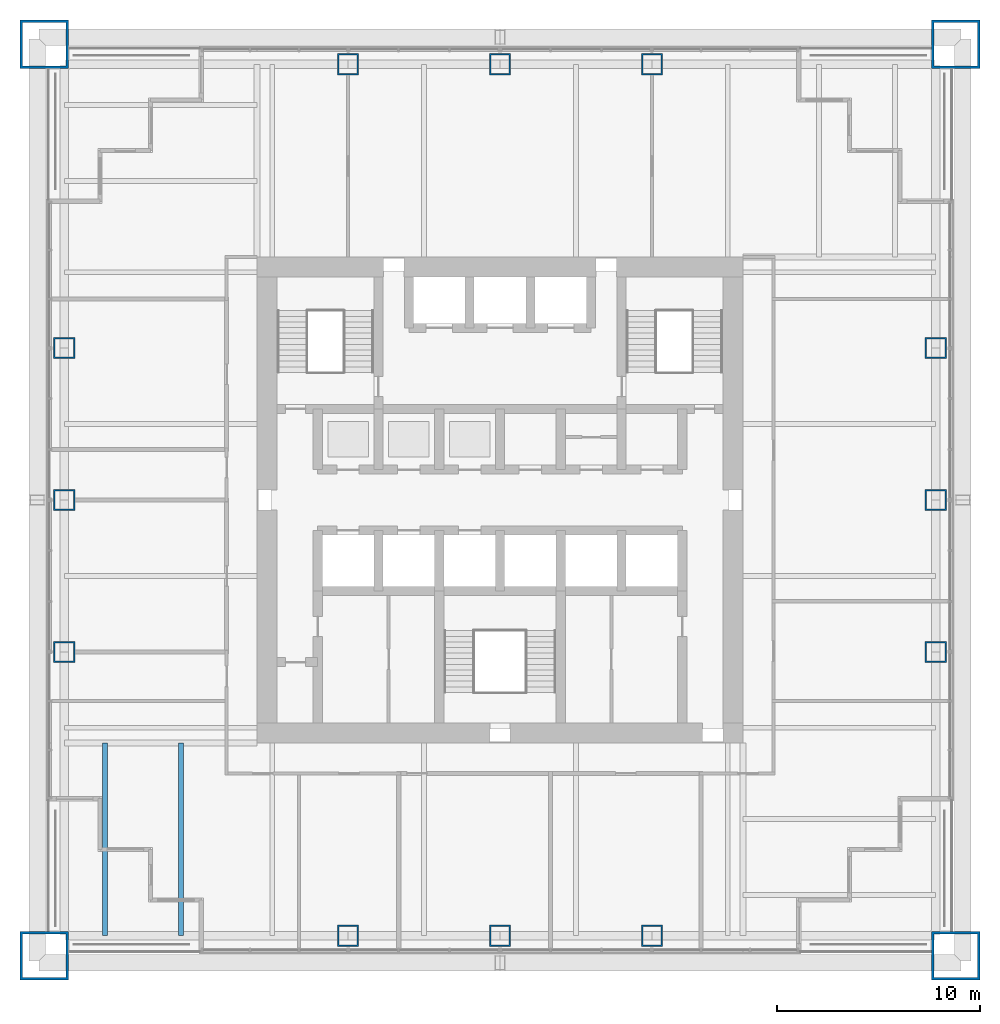
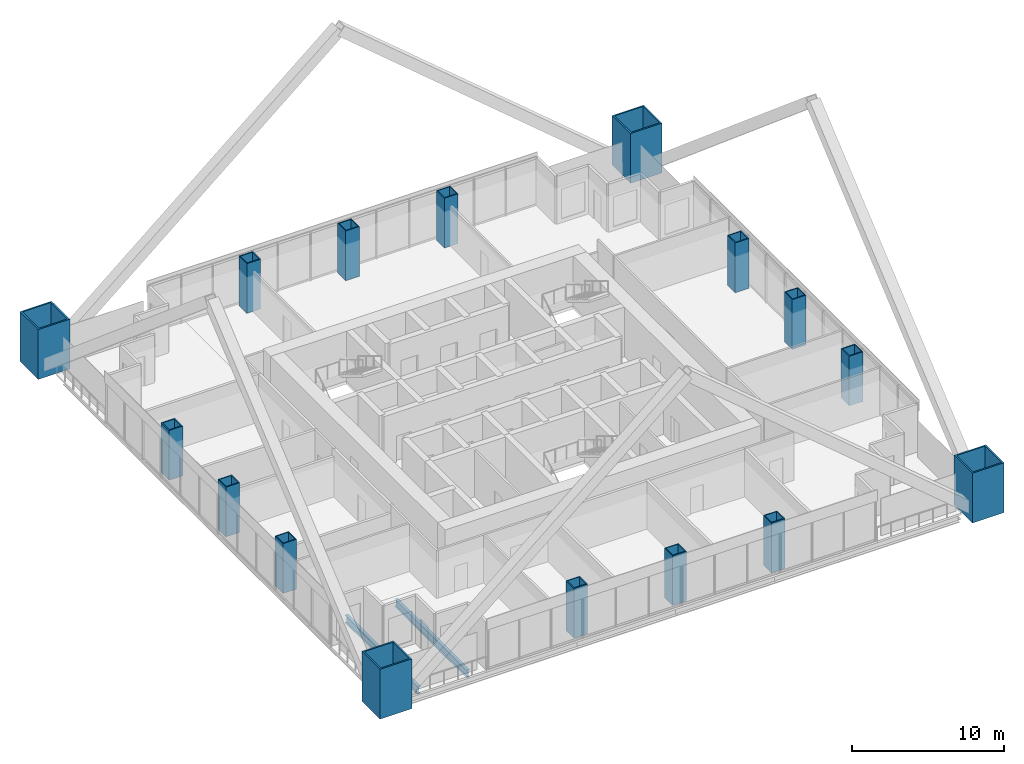
# One storey, part 1 of 14: 16 columns, 2 beams.
"""IFC4 building model written with IfcOpenShell, lengths in metres."""

from ifc_helpers import new_model, si_unit, direction, frame, origin, origin_2d, place, context, subcontext, project, spatial, hollow_rectangle, i_section, extrude, material, material_profile, profile_set, type_object, element, save


model = new_model("IFC4")

# Units and contexts
model_context = context("Model", 3, precision=1e-05, world=origin(), true_north=direction((0.0, 1.0)))
body_context = subcontext(model_context, "Body", "Model", "MODEL_VIEW")
ifc_project = project(units=[si_unit("LENGTHUNIT", "METRE"), si_unit("AREAUNIT", "SQUARE_METRE"), si_unit("VOLUMEUNIT", "CUBIC_METRE"), si_unit("PLANEANGLEUNIT", "RADIAN"), si_unit("MASSUNIT", "GRAM", prefix="KILO")], contexts=[model_context])

# Site, building, storey
site_placement = place(None, origin())
site = spatial("IfcSite", under=ifc_project, at=site_placement, CompositionType="ELEMENT")
building_placement = place(site_placement, origin())
building = spatial("IfcBuilding", under=site, at=building_placement, Name="Tarangal Relay Tower", CompositionType="ELEMENT")
storey_placement = place(building_placement, frame((0.0, 0.0, 177.89990234375)))
storey = spatial("IfcBuildingStorey", under=building, at=storey_placement, Name="L36", CompositionType="ELEMENT", Elevation=177.89990234375)

# Columns
ifc_material_1 = material(Name="Steel ASTM A572 Grade 42", Category="steel")
ifc_material_profile_1 = material_profile(ifc_material_1, hollow_rectangle(XDim=2.39990234375, YDim=2.39990234375, WallThickness=0.1201171875, at=origin_2d()), Name="BOX2400X2400X120")
ifc_profile_set_1 = profile_set([ifc_material_profile_1], Name="Steel ASTM A572 Grade 42")
column_type_1 = type_object("IfcColumnType", Name="Mega column BOX2400X2400X120", PredefinedType="COLUMN", material=ifc_profile_set_1)
for number, where, z_axis, x_axis, name in (
    (1, (22.5, 22.5, 0.0), (0.0, 0.0, 1.0), (1.0, 0.0, 0.0), "Mega column MC3 NE L36"),
    (2, (22.5, -22.5, 0.0), (0.0, 0.0, 1.0), (1.0, 0.0, 0.0), "Mega column MC3 SE L36"),
    (3, (-22.5, -22.5, 0.0), (0.0, 0.0, 1.0), (1.0, 0.0, 0.0), "Mega column MC3 SW L36"),
    (4, (-22.5, 22.5, 0.0), (0.0, 0.0, 1.0), (1.0, 0.0, 0.0), "Mega column MC3 NW L36"),
):
    element("IfcColumn", number, at=place(storey_placement, frame(where, z_axis=z_axis, x_axis=x_axis)), inside=storey, type_object=column_type_1, Name=name, PredefinedType="COLUMN", context=body_context, shape_type="SweptSolid", body=[
        extrude(hollow_rectangle(XDim=2.39990234375, YDim=2.39990234375, WallThickness=0.1201171875, at=origin_2d()), origin(), (0.0, 0.0, 1.0), 4.0),
    ])
ifc_material_2 = material(Name="Steel ASTM A572 Grade 50", Category="steel")
ifc_material_profile_2 = material_profile(ifc_material_2, hollow_rectangle(XDim=1.050048828125, YDim=1.050048828125, WallThickness=0.070068359375, at=origin_2d()), Name="BOX1050X1050X70")
ifc_profile_set_2 = profile_set([ifc_material_profile_2], Name="Steel ASTM A572 Grade 50")
column_type_2 = type_object("IfcColumnType", Name="Perimeter column BOX1050X1050X70", PredefinedType="COLUMN", material=ifc_profile_set_2)
for number, where, z_axis, x_axis, name in (
    (5, (0.0, 21.514892578125, 0.0), (0.0, 0.0, 1.0), (1.0, 0.0, 0.0), "Perimeter column PC4 N L36"),
    (6, (21.514892578125, 0.0, 0.0), (0.0, 0.0, 1.0), (1.0, 0.0, 0.0), "Perimeter column PC4 E L36"),
    (7, (0.0, -21.514892578125, 0.0), (0.0, 0.0, 1.0), (1.0, 0.0, 0.0), "Perimeter column PC4 S L36"),
    (8, (-21.514892578125, 0.0, 0.0), (0.0, 0.0, 1.0), (1.0, 0.0, 0.0), "Perimeter column PC4 W L36"),
):
    element("IfcColumn", number, at=place(storey_placement, frame(where, z_axis=z_axis, x_axis=x_axis)), inside=storey, type_object=column_type_2, Name=name, PredefinedType="COLUMN", context=body_context, shape_type="SweptSolid", body=[
        extrude(hollow_rectangle(XDim=1.050048828125, YDim=1.050048828125, WallThickness=0.070068359375, at=origin_2d()), origin(), (0.0, 0.0, 1.0), 4.0),
    ])
ifc_material_profile_3 = material_profile(ifc_material_2, hollow_rectangle(XDim=1.050048828125, YDim=1.050048828125, WallThickness=0.074951171875, at=origin_2d()), Name="BOX1050X1050X75")
ifc_profile_set_3 = profile_set([ifc_material_profile_3], Name="Steel ASTM A572 Grade 50")
column_type_3 = type_object("IfcColumnType", Name="Perimeter column BOX1050X1050X75", PredefinedType="COLUMN", material=ifc_profile_set_3)
for number, where, z_axis, x_axis, name in (
    (9, (-7.5, 21.514892578125, 0.0), (0.0, 0.0, 1.0), (1.0, 0.0, 0.0), "Perimeter column PC6 N L36"),
    (10, (7.5, 21.514892578125, 0.0), (0.0, 0.0, 1.0), (1.0, 0.0, 0.0), "Perimeter column PC6 N L36"),
    (11, (21.514892578125, 7.5, 0.0), (0.0, 0.0, 1.0), (1.0, 0.0, 0.0), "Perimeter column PC6 E L36"),
    (12, (21.514892578125, -7.5, 0.0), (0.0, 0.0, 1.0), (1.0, 0.0, 0.0), "Perimeter column PC6 E L36"),
    (13, (7.5, -21.514892578125, 0.0), (0.0, 0.0, 1.0), (1.0, 0.0, 0.0), "Perimeter column PC6 S L36"),
    (14, (-7.5, -21.514892578125, 0.0), (0.0, 0.0, 1.0), (1.0, 0.0, 0.0), "Perimeter column PC6 S L36"),
    (15, (-21.514892578125, -7.5, 0.0), (0.0, 0.0, 1.0), (1.0, 0.0, 0.0), "Perimeter column PC6 W L36"),
    (16, (-21.514892578125, 7.5, 0.0), (0.0, 0.0, 1.0), (1.0, 0.0, 0.0), "Perimeter column PC6 W L36"),
):
    element("IfcColumn", number, at=place(storey_placement, frame(where, z_axis=z_axis, x_axis=x_axis)), inside=storey, type_object=column_type_3, Name=name, PredefinedType="COLUMN", context=body_context, shape_type="SweptSolid", body=[
        extrude(hollow_rectangle(XDim=1.050048828125, YDim=1.050048828125, WallThickness=0.074951171875, at=origin_2d()), origin(), (0.0, 0.0, 1.0), 4.0),
    ])

# Beams
ifc_material_3 = material(Name="Steel ASTM A992", Category="steel")
ifc_material_profile_4 = material_profile(ifc_material_3, i_section(OverallWidth=0.23046875, OverallDepth=0.6171875, WebThickness=0.01318359375, FlangeThickness=0.022216796875, at=origin_2d()), Name="W24X94")
ifc_profile_set_4 = profile_set([ifc_material_profile_4], Name="Steel ASTM A992")
beam_type = type_object("IfcBeamType", Name="Corner beam W24X94", PredefinedType="JOIST", material=ifc_profile_set_4)
for number, where, z_axis, x_axis, name in (
    (17, (-15.75, -12.0, -0.45849609375), (0.0, -1.0, 0.0), (1.0, 0.0, 0.0), "Corner beam CB14 S L36"),
    (18, (-19.5, -12.0, -0.45849609375), (0.0, -1.0, 0.0), (1.0, 0.0, 0.0), "Corner beam CB14 S L36"),
):
    element("IfcBeam", number, at=place(storey_placement, frame(where, z_axis=z_axis, x_axis=x_axis)), inside=storey, type_object=beam_type, Name=name, PredefinedType="JOIST", context=body_context, shape_type="SweptSolid", body=[
        extrude(i_section(OverallWidth=0.23046875, OverallDepth=0.6171875, WebThickness=0.01318359375, FlangeThickness=0.022216796875, at=origin_2d()), origin(), (0.0, 0.0, 1.0), 9.514892578125),
    ])

save(model, "model.ifc")
